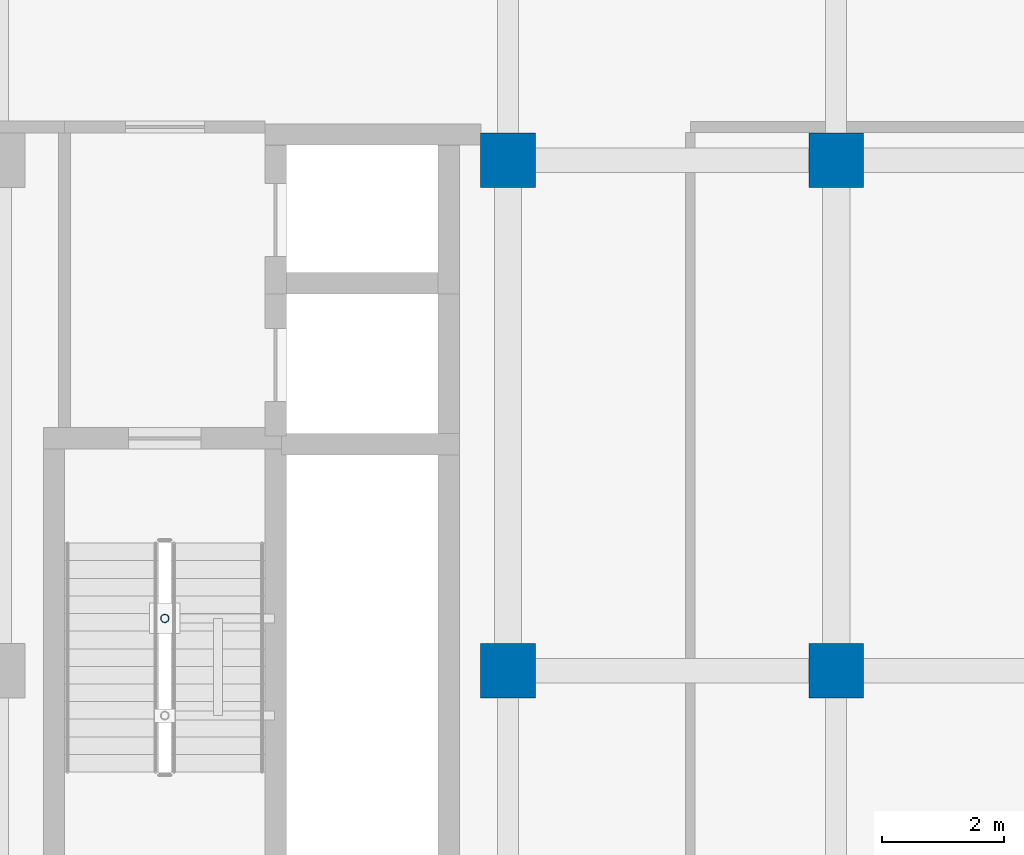
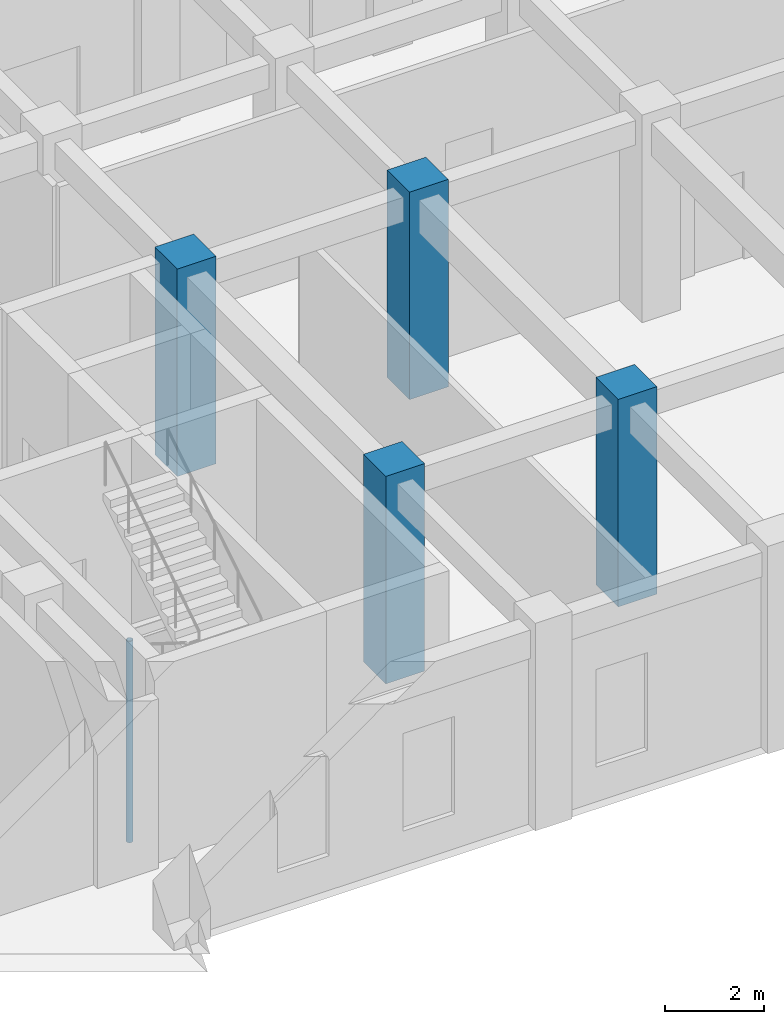
# One storey, part 16 of 80: 5 columns.
"""IFC4 building model written with IfcOpenShell, lengths in metres."""

import ifcopenshell
import ifcopenshell.guid

model = None  # the IFC model being written
_history = None  # IfcOwnerHistory: only IFC2X3 demands one
_inside = {}  # id of a spatial element -> (the spatial element, [elements in it])
_under = {}  # id of a project, library or spatial element -> (it, [spatial elements below it])
_declared = {}  # id of a project -> (the project, [libraries it declares])
_typed = {}  # id of a type object -> (the type object, [elements of that type])
_made_of = {}  # id of a material, layer set ... -> (it, [elements and type objects made of it])


def new_model(schema):
    """Start an empty IFC model of exactly this schema.

    Asked for "IFC4X3", IfcOpenShell would pick the latest addendum, in which some entities
    have other attributes; the version numbers below select the first issue.
    IFC2X3 requires an IfcOwnerHistory on every rooted entity: one is made here for all.
    """
    global model, _history
    if schema == "IFC4X3":
        model = ifcopenshell.file(schema_version=(4, 3, 0, 0))
    else:
        model = ifcopenshell.file(schema=schema)
    _inside.clear()
    _under.clear()
    _declared.clear()
    _typed.clear()
    _made_of.clear()
    _history = None
    if model.schema == "IFC2X3":
        org = make("IfcOrganization", Name="unknown")
        user = make(
            "IfcPersonAndOrganization",
            ThePerson=make("IfcPerson", FamilyName="unknown"),
            TheOrganization=org,
        )
        app = make(
            "IfcApplication",
            ApplicationDeveloper=org,
            Version="unknown",
            ApplicationFullName="unknown",
            ApplicationIdentifier="unknown",
        )
        _history = make(
            "IfcOwnerHistory",
            OwningUser=user,
            OwningApplication=app,
            ChangeAction="ADDED",
            CreationDate=0,
        )
    return model


def make(cls, **values):
    """One entity of the class cls with the attributes given. An attribute that is None is left unset."""
    return model.create_entity(
        cls, **{name: value for name, value in values.items() if value is not None}
    )


def rooted(cls, **values):
    """An entity with a GlobalId (a new one), such as an element, a storey or a relation."""
    return make(cls, GlobalId=ifcopenshell.guid.new(), OwnerHistory=_history, **values)


def si_unit(unit_type, name, prefix=None):
    """IfcSIUnit, for example si_unit("LENGTHUNIT", "METRE", prefix="MILLI")."""
    return make("IfcSIUnit", UnitType=unit_type, Prefix=prefix, Name=name)


def assignment(units):
    """IfcUnitAssignment: the units of a project."""
    return None if units is None else make("IfcUnitAssignment", Units=units)


def point(xyz):
    """IfcCartesianPoint."""
    return None if xyz is None else make("IfcCartesianPoint", Coordinates=xyz)


def direction(xyz):
    """IfcDirection."""
    return None if xyz is None else make("IfcDirection", DirectionRatios=xyz)


def frame(location, z_axis=None, x_axis=None):
    """IfcAxis2Placement3D, a coordinate frame: its origin and axes. An axis left out is left unset."""
    return make(
        "IfcAxis2Placement3D",
        Location=point(location),
        Axis=direction(z_axis),
        RefDirection=direction(x_axis),
    )


def frame_2d(location, x_axis=None):
    """IfcAxis2Placement2D, a coordinate frame in the plane: its origin and x axis."""
    return make(
        "IfcAxis2Placement2D", Location=point(location), RefDirection=direction(x_axis)
    )


def origin():
    """The frame at (0, 0, 0) with its axes left unset."""
    return frame((0.0, 0.0, 0.0))


def origin_2d():
    """The frame at (0, 0) in the plane with its x axis left unset."""
    return frame_2d((0.0, 0.0))


def place(relative_to, where):
    """IfcLocalPlacement: puts the frame where relative to a parent placement (None: the world)."""
    return make(
        "IfcLocalPlacement", PlacementRelTo=relative_to, RelativePlacement=where
    )


def context(
    kind, dimensions, precision=None, world=None, true_north=None, identifier=None
):
    """IfcGeometricRepresentationContext, for example the 3D "Model" context."""
    return make(
        "IfcGeometricRepresentationContext",
        ContextIdentifier=identifier,
        ContextType=kind,
        CoordinateSpaceDimension=dimensions,
        Precision=precision,
        WorldCoordinateSystem=world,
        TrueNorth=true_north,
    )


def subcontext(parent, identifier, kind, view, scale=None):
    """IfcGeometricRepresentationSubContext, for example "Body" below "Model"."""
    return make(
        "IfcGeometricRepresentationSubContext",
        ContextIdentifier=identifier,
        ContextType=kind,
        ParentContext=parent,
        TargetScale=scale,
        TargetView=view,
    )


def project(units=None, contexts=None):
    """IfcProject with its units and contexts."""
    return rooted(
        "IfcProject",
        Name="project",
        RepresentationContexts=contexts,
        UnitsInContext=assignment(units),
    )


def spatial(cls, under=None, at=None, **own):
    """A site, building, storey or space (cls), placed at a placement, below another one or the project."""
    s = rooted(cls, ObjectPlacement=at, **own)
    if under is not None:
        _under.setdefault(under.id(), (under, []))[1].append(s)
    return s


def profile(cls, at=None, kind="AREA", **sizes):
    """A parametric profile (cls). Its sizes go by their IFC names, for example OverallWidth=200.0."""
    return make(cls, ProfileType=kind, Position=at, **sizes)


def rectangle(**sizes):
    """IfcRectangleProfileDef."""
    return profile("IfcRectangleProfileDef", **sizes)


def hollow_circle(**sizes):
    """IfcCircleHollowProfileDef."""
    return profile("IfcCircleHollowProfileDef", **sizes)


def extrude(swept, where, along, depth):
    """IfcExtrudedAreaSolid: the profile swept, set in the frame where, extruded along a direction by depth."""
    return make(
        "IfcExtrudedAreaSolid",
        SweptArea=swept,
        Position=where,
        ExtrudedDirection=direction(along),
        Depth=depth,
    )


def shape(context_of_items, identifier, shape_type, items):
    """IfcShapeRepresentation: the items that make up one representation, for example the "Body"."""
    return make(
        "IfcShapeRepresentation",
        ContextOfItems=context_of_items,
        RepresentationIdentifier=identifier,
        RepresentationType=shape_type,
        Items=items,
    )


def material(Name=None, Category=None):
    """IfcMaterial."""
    return make("IfcMaterial", Name=Name, Category=Category)


def material_profile(
    of_material, cross_section, Name=None, Category=None, Priority=None
):
    """IfcMaterialProfile: a cross section and its material."""
    return make(
        "IfcMaterialProfile",
        Name=Name,
        Material=of_material,
        Profile=cross_section,
        Priority=Priority,
        Category=Category,
    )


def profile_set(profiles, Name=None, composite=None):
    """IfcMaterialProfileSet."""
    return make(
        "IfcMaterialProfileSet",
        Name=Name,
        MaterialProfiles=profiles,
        CompositeProfile=composite,
    )


def made_of(thing, what):
    """Note that an element or type object is made of a material, layer set ...; save() writes the relation."""
    if what is not None:
        _made_of.setdefault(what.id(), (what, []))[1].append(thing)
    return thing


def type_object(cls, material=None, **own):
    """A type object (cls), such as IfcWallType, which elements share."""
    return made_of(rooted(cls, **own), material)


def element(
    cls,
    number,
    at=None,
    inside=None,
    cuts=None,
    type_object=None,
    material=None,
    context=None,
    identifier="Body",
    shape_type=None,
    held_by="IfcProductDefinitionShape",
    body=None,
    shapes=None,
    **own,
):
    """One element of the class cls, such as IfcWall. Its Tag is "e" and its number.

    at: its placement. inside: the storey or other place that contains it. cuts: it is an
    opening in that element (IfcRelVoidsElement). A single representation is given by context,
    identifier, shape_type and body (its items); several are given by shapes. held_by: the class
    of the entity that holds the representations. save() writes the other relations.
    """
    e = rooted(cls, Tag="e%d" % number, ObjectPlacement=at, **own)
    if body is not None:
        shapes = [shape(context, identifier, shape_type, body)]
    if shapes is not None:
        e.Representation = make(held_by, Representations=shapes)
    if inside is not None:
        _inside.setdefault(inside.id(), (inside, []))[1].append(e)
    if cuts is not None:
        rooted(
            "IfcRelVoidsElement", RelatingBuildingElement=cuts, RelatedOpeningElement=e
        )
    if type_object is not None:
        _typed.setdefault(type_object.id(), (type_object, []))[1].append(e)
    return made_of(e, material)


def aggregate(whole, parts):
    """IfcRelAggregates: a whole, such as a stair, and the parts it consists of."""
    return rooted("IfcRelAggregates", RelatingObject=whole, RelatedObjects=parts)


def save(model, path):
    """Write the relations noted so far, then the file.

    IfcRelAggregates (storeys below a building ...), IfcRelContainedInSpatialStructure (elements
    in a storey), IfcRelDefinesByType, IfcRelAssociatesMaterial and IfcRelDeclares: one each for
    every whole, place, type object, material and project.
    """
    for whole, parts in _under.values():
        aggregate(whole, parts)
    for where, things in _inside.values():
        rooted(
            "IfcRelContainedInSpatialStructure",
            RelatedElements=things,
            RelatingStructure=where,
        )
    for kind, things in _typed.values():
        rooted("IfcRelDefinesByType", RelatedObjects=things, RelatingType=kind)
    for what, things in _made_of.values():
        rooted("IfcRelAssociatesMaterial", RelatedObjects=things, RelatingMaterial=what)
    for by, libraries in _declared.values():
        rooted("IfcRelDeclares", RelatingContext=by, RelatedDefinitions=libraries)
    model.write(path)


model = new_model("IFC4")

# Units and contexts
model_context = context("Model", 3, precision=1e-05, world=origin(), true_north=direction((0.0, 1.0)))
body_context = subcontext(model_context, "Body", "Model", "MODEL_VIEW")
ifc_project = project(units=[si_unit("LENGTHUNIT", "METRE"), si_unit("AREAUNIT", "SQUARE_METRE"), si_unit("VOLUMEUNIT", "CUBIC_METRE"), si_unit("PLANEANGLEUNIT", "RADIAN"), si_unit("MASSUNIT", "GRAM", prefix="KILO")], contexts=[model_context])

# Site, building, storey
site_placement = place(None, origin())
site = spatial("IfcSite", under=ifc_project, at=site_placement, CompositionType="ELEMENT")
building_placement = place(site_placement, origin())
building = spatial("IfcBuilding", under=site, at=building_placement, Name="Krzemoval Escarpment Law Courts", CompositionType="ELEMENT")
storey_placement = place(building_placement, origin())
storey = spatial("IfcBuildingStorey", under=building, at=storey_placement, Name="L00", CompositionType="ELEMENT", Elevation=0.0)

# Columns
ifc_material_1 = material(Name="Concrete C50/60", Category="concrete")
ifc_material_profile_1 = material_profile(ifc_material_1, rectangle(XDim=0.89990234375, YDim=0.89990234375, at=origin_2d()), Name="RC 900x900")
ifc_profile_set_1 = profile_set([ifc_material_profile_1], Name="Concrete C50/60")
column_type_1 = type_object("IfcColumnType", Name="COL-RC-900", PredefinedType="COLUMN", material=ifc_profile_set_1)
for number, where, z_axis, x_axis, name in (
    (1, (151.199951171875, 99.60009765625, 0.0), (0.0, 0.0, 1.0), (1.0, 0.0, 0.0), "Column FC-L00-0499"),
    (2, (151.199951171875, 108.0, 0.0), (0.0, 0.0, 1.0), (1.0, 0.0, 0.0), "Column FC-L00-0500"),
    (3, (156.60009765625, 99.60009765625, 0.0), (0.0, 0.0, 1.0), (1.0, 0.0, 0.0), "Column FC-L00-0509"),
    (4, (156.60009765625, 108.0, 0.0), (0.0, 0.0, 1.0), (1.0, 0.0, 0.0), "Column FC-L00-0510"),
):
    element("IfcColumn", number, at=place(storey_placement, frame(where, z_axis=z_axis, x_axis=x_axis)), inside=storey, type_object=column_type_1, Name=name, PredefinedType="COLUMN", context=body_context, shape_type="SweptSolid", body=[
        extrude(rectangle(XDim=0.89990234375, YDim=0.89990234375, at=origin_2d()), origin(), (0.0, 0.0, 1.0), 5.10009765625),
    ])
ifc_material_2 = material(Name="Steel S355", Category="steel")
ifc_material_profile_2 = material_profile(ifc_material_2, hollow_circle(Radius=0.06982421875, WallThickness=0.008056640625, at=origin_2d()), Name="CHS 139.7x8")
ifc_profile_set_2 = profile_set([ifc_material_profile_2], Name="Steel S355")
column_type_2 = type_object("IfcColumnType", Name="COL-S355-CHS140", PredefinedType="COLUMN", material=ifc_profile_set_2)
column_placement = place(storey_placement, frame((145.550048828125, 100.4599609375, -2.830078125), z_axis=(0.0, 0.0, 1.0), x_axis=(1.0, 0.0, 0.0)))
element("IfcColumn", 5, at=column_placement, inside=storey, type_object=column_type_2, Name="Stair Well Post SCP-C3-L00-2", PredefinedType="COLUMN", context=body_context, shape_type="SweptSolid", body=[
    extrude(hollow_circle(Radius=0.06982421875, WallThickness=0.008056640625, at=origin_2d()), origin(), (0.0, 0.0, 1.0), 4.9501953125),
])

save(model, "model.ifc")
